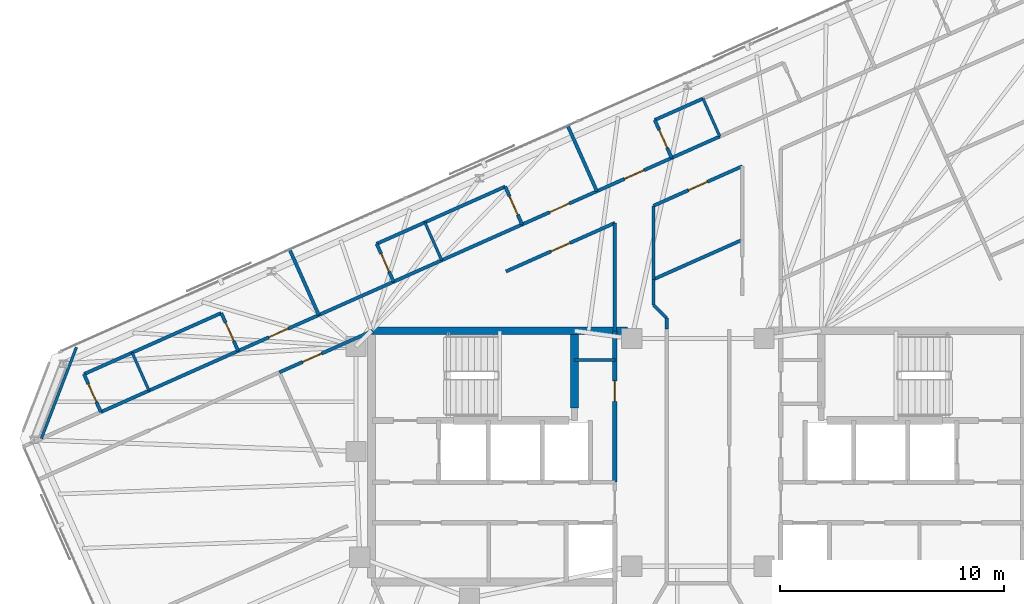
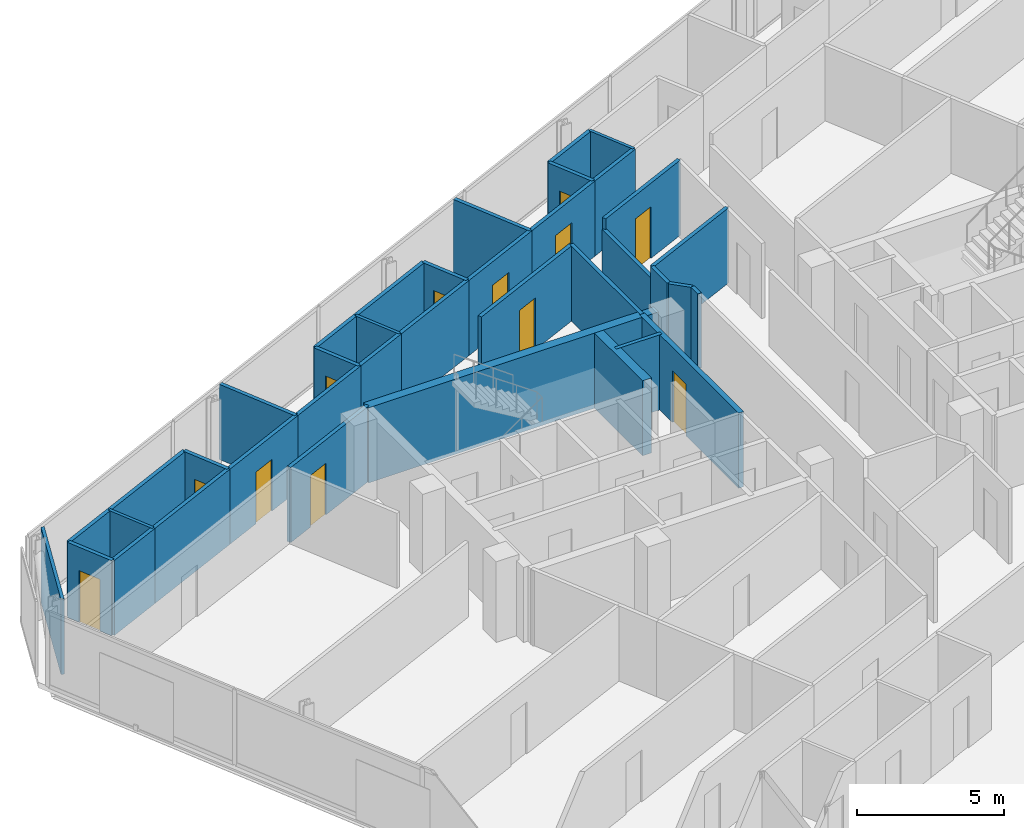
# One storey, part 16 of 19: 38 walls, 12 doors, 12 openings.
"""IFC4 building model written with IfcOpenShell, lengths in metres."""

import ifcopenshell
import ifcopenshell.guid

model = None  # the IFC model being written
_history = None  # IfcOwnerHistory: only IFC2X3 demands one
_inside = {}  # id of a spatial element -> (the spatial element, [elements in it])
_under = {}  # id of a project, library or spatial element -> (it, [spatial elements below it])
_declared = {}  # id of a project -> (the project, [libraries it declares])
_typed = {}  # id of a type object -> (the type object, [elements of that type])
_made_of = {}  # id of a material, layer set ... -> (it, [elements and type objects made of it])


def new_model(schema):
    """Start an empty IFC model of exactly this schema.

    Asked for "IFC4X3", IfcOpenShell would pick the latest addendum, in which some entities
    have other attributes; the version numbers below select the first issue.
    IFC2X3 requires an IfcOwnerHistory on every rooted entity: one is made here for all.
    """
    global model, _history
    if schema == "IFC4X3":
        model = ifcopenshell.file(schema_version=(4, 3, 0, 0))
    else:
        model = ifcopenshell.file(schema=schema)
    _inside.clear()
    _under.clear()
    _declared.clear()
    _typed.clear()
    _made_of.clear()
    _history = None
    if model.schema == "IFC2X3":
        org = make("IfcOrganization", Name="unknown")
        user = make(
            "IfcPersonAndOrganization",
            ThePerson=make("IfcPerson", FamilyName="unknown"),
            TheOrganization=org,
        )
        app = make(
            "IfcApplication",
            ApplicationDeveloper=org,
            Version="unknown",
            ApplicationFullName="unknown",
            ApplicationIdentifier="unknown",
        )
        _history = make(
            "IfcOwnerHistory",
            OwningUser=user,
            OwningApplication=app,
            ChangeAction="ADDED",
            CreationDate=0,
        )
    return model


def make(cls, **values):
    """One entity of the class cls with the attributes given. An attribute that is None is left unset."""
    return model.create_entity(
        cls, **{name: value for name, value in values.items() if value is not None}
    )


def rooted(cls, **values):
    """An entity with a GlobalId (a new one), such as an element, a storey or a relation."""
    return make(cls, GlobalId=ifcopenshell.guid.new(), OwnerHistory=_history, **values)


def si_unit(unit_type, name, prefix=None):
    """IfcSIUnit, for example si_unit("LENGTHUNIT", "METRE", prefix="MILLI")."""
    return make("IfcSIUnit", UnitType=unit_type, Prefix=prefix, Name=name)


def assignment(units):
    """IfcUnitAssignment: the units of a project."""
    return None if units is None else make("IfcUnitAssignment", Units=units)


def point(xyz):
    """IfcCartesianPoint."""
    return None if xyz is None else make("IfcCartesianPoint", Coordinates=xyz)


def direction(xyz):
    """IfcDirection."""
    return None if xyz is None else make("IfcDirection", DirectionRatios=xyz)


def frame(location, z_axis=None, x_axis=None):
    """IfcAxis2Placement3D, a coordinate frame: its origin and axes. An axis left out is left unset."""
    return make(
        "IfcAxis2Placement3D",
        Location=point(location),
        Axis=direction(z_axis),
        RefDirection=direction(x_axis),
    )


def frame_2d(location, x_axis=None):
    """IfcAxis2Placement2D, a coordinate frame in the plane: its origin and x axis."""
    return make(
        "IfcAxis2Placement2D", Location=point(location), RefDirection=direction(x_axis)
    )


def origin():
    """The frame at (0, 0, 0) with its axes left unset."""
    return frame((0.0, 0.0, 0.0))


def place(relative_to, where):
    """IfcLocalPlacement: puts the frame where relative to a parent placement (None: the world)."""
    return make(
        "IfcLocalPlacement", PlacementRelTo=relative_to, RelativePlacement=where
    )


def context(
    kind, dimensions, precision=None, world=None, true_north=None, identifier=None
):
    """IfcGeometricRepresentationContext, for example the 3D "Model" context."""
    return make(
        "IfcGeometricRepresentationContext",
        ContextIdentifier=identifier,
        ContextType=kind,
        CoordinateSpaceDimension=dimensions,
        Precision=precision,
        WorldCoordinateSystem=world,
        TrueNorth=true_north,
    )


def subcontext(parent, identifier, kind, view, scale=None):
    """IfcGeometricRepresentationSubContext, for example "Body" below "Model"."""
    return make(
        "IfcGeometricRepresentationSubContext",
        ContextIdentifier=identifier,
        ContextType=kind,
        ParentContext=parent,
        TargetScale=scale,
        TargetView=view,
    )


def project(units=None, contexts=None):
    """IfcProject with its units and contexts."""
    return rooted(
        "IfcProject",
        Name="project",
        RepresentationContexts=contexts,
        UnitsInContext=assignment(units),
    )


def spatial(cls, under=None, at=None, **own):
    """A site, building, storey or space (cls), placed at a placement, below another one or the project."""
    s = rooted(cls, ObjectPlacement=at, **own)
    if under is not None:
        _under.setdefault(under.id(), (under, []))[1].append(s)
    return s


def profile(cls, at=None, kind="AREA", **sizes):
    """A parametric profile (cls). Its sizes go by their IFC names, for example OverallWidth=200.0."""
    return make(cls, ProfileType=kind, Position=at, **sizes)


def rectangle(**sizes):
    """IfcRectangleProfileDef."""
    return profile("IfcRectangleProfileDef", **sizes)


def extrude(swept, where, along, depth):
    """IfcExtrudedAreaSolid: the profile swept, set in the frame where, extruded along a direction by depth."""
    return make(
        "IfcExtrudedAreaSolid",
        SweptArea=swept,
        Position=where,
        ExtrudedDirection=direction(along),
        Depth=depth,
    )


def shape(context_of_items, identifier, shape_type, items):
    """IfcShapeRepresentation: the items that make up one representation, for example the "Body"."""
    return make(
        "IfcShapeRepresentation",
        ContextOfItems=context_of_items,
        RepresentationIdentifier=identifier,
        RepresentationType=shape_type,
        Items=items,
    )


def material(Name=None, Category=None):
    """IfcMaterial."""
    return make("IfcMaterial", Name=Name, Category=Category)


def layer(
    of_material, thickness, ventilated=None, Name=None, Category=None, Priority=None
):
    """IfcMaterialLayer: one layer of a wall or slab, of a material (None: an air gap)."""
    return make(
        "IfcMaterialLayer",
        Material=of_material,
        LayerThickness=thickness,
        IsVentilated=ventilated,
        Name=Name,
        Category=Category,
        Priority=Priority,
    )


def layer_set(layers, Name=None):
    """IfcMaterialLayerSet."""
    return make("IfcMaterialLayerSet", MaterialLayers=layers, LayerSetName=Name)


def made_of(thing, what):
    """Note that an element or type object is made of a material, layer set ...; save() writes the relation."""
    if what is not None:
        _made_of.setdefault(what.id(), (what, []))[1].append(thing)
    return thing


def type_object(cls, material=None, **own):
    """A type object (cls), such as IfcWallType, which elements share."""
    return made_of(rooted(cls, **own), material)


def element(
    cls,
    number,
    at=None,
    inside=None,
    cuts=None,
    type_object=None,
    material=None,
    context=None,
    identifier="Body",
    shape_type=None,
    held_by="IfcProductDefinitionShape",
    body=None,
    shapes=None,
    **own,
):
    """One element of the class cls, such as IfcWall. Its Tag is "e" and its number.

    at: its placement. inside: the storey or other place that contains it. cuts: it is an
    opening in that element (IfcRelVoidsElement). A single representation is given by context,
    identifier, shape_type and body (its items); several are given by shapes. held_by: the class
    of the entity that holds the representations. save() writes the other relations.
    """
    e = rooted(cls, Tag="e%d" % number, ObjectPlacement=at, **own)
    if body is not None:
        shapes = [shape(context, identifier, shape_type, body)]
    if shapes is not None:
        e.Representation = make(held_by, Representations=shapes)
    if inside is not None:
        _inside.setdefault(inside.id(), (inside, []))[1].append(e)
    if cuts is not None:
        rooted(
            "IfcRelVoidsElement", RelatingBuildingElement=cuts, RelatedOpeningElement=e
        )
    if type_object is not None:
        _typed.setdefault(type_object.id(), (type_object, []))[1].append(e)
    return made_of(e, material)


def fill(opening, filler):
    """IfcRelFillsElement: the door or window that sits in an opening."""
    return rooted(
        "IfcRelFillsElement",
        RelatingOpeningElement=opening,
        RelatedBuildingElement=filler,
    )


def aggregate(whole, parts):
    """IfcRelAggregates: a whole, such as a stair, and the parts it consists of."""
    return rooted("IfcRelAggregates", RelatingObject=whole, RelatedObjects=parts)


def save(model, path):
    """Write the relations noted so far, then the file.

    IfcRelAggregates (storeys below a building ...), IfcRelContainedInSpatialStructure (elements
    in a storey), IfcRelDefinesByType, IfcRelAssociatesMaterial and IfcRelDeclares: one each for
    every whole, place, type object, material and project.
    """
    for whole, parts in _under.values():
        aggregate(whole, parts)
    for where, things in _inside.values():
        rooted(
            "IfcRelContainedInSpatialStructure",
            RelatedElements=things,
            RelatingStructure=where,
        )
    for kind, things in _typed.values():
        rooted("IfcRelDefinesByType", RelatedObjects=things, RelatingType=kind)
    for what, things in _made_of.values():
        rooted("IfcRelAssociatesMaterial", RelatedObjects=things, RelatingMaterial=what)
    for by, libraries in _declared.values():
        rooted("IfcRelDeclares", RelatingContext=by, RelatedDefinitions=libraries)
    model.write(path)


model = new_model("IFC4")

# Units and contexts
model_context = context("Model", 3, precision=1e-05, world=origin(), true_north=direction((0.0, 1.0)))
body_context = subcontext(model_context, "Body", "Model", "MODEL_VIEW")
ifc_project = project(units=[si_unit("LENGTHUNIT", "METRE"), si_unit("AREAUNIT", "SQUARE_METRE"), si_unit("VOLUMEUNIT", "CUBIC_METRE"), si_unit("PLANEANGLEUNIT", "RADIAN"), si_unit("MASSUNIT", "GRAM", prefix="KILO")], contexts=[model_context])

# Site, building, storey
site_placement = place(None, origin())
site = spatial("IfcSite", under=ifc_project, at=site_placement, CompositionType="ELEMENT")
building_placement = place(site_placement, origin())
building = spatial("IfcBuilding", under=site, at=building_placement, Name="Menara Jurai Vektor", CompositionType="ELEMENT")
storey_placement = place(building_placement, frame((0.0, 0.0, 291.949951171875)))
storey = spatial("IfcBuildingStorey", under=building, at=storey_placement, Name="L78", CompositionType="ELEMENT", Elevation=291.949951171875)

# Wall
ifc_material_1 = material(Name="Gypsum Fireboard Partition", Category="gypsum")
ifc_layer_1 = layer(ifc_material_1, 0.14990234375)
ifc_layer_set_1 = layer_set([ifc_layer_1], Name="Gypsum Fireboard Partition")
wall_type_1 = type_object("IfcWallType", Name="INT-WALL-CORR-150", PredefinedType="PARTITIONING", material=ifc_layer_set_1)
wall_1_placement = place(storey_placement, frame((-5.5, 4.300048828125, 0.0), z_axis=(0.0, 0.0, 1.0), x_axis=(1.0, 0.0, 0.0)))
element("IfcWall", 1, at=wall_1_placement, inside=storey, type_object=wall_type_1, Name="Interior Wall IW-150 L78", PredefinedType="PARTITIONING", context=body_context, shape_type="SweptSolid", body=[
    extrude(rectangle(XDim=1.800048828125, YDim=0.14990234375, at=frame_2d((0.89990234375, 0.0))), origin(), (0.0, 0.0, 1.0), 3.125),
])

# Wall, opening, door
wall_2_placement = place(storey_placement, frame((-20.49853515625, 4.702392578125, 0.0), z_axis=(0.0, 0.0, 1.0), x_axis=(0.913553019012, 0.406719659537, 0.0)))
wall_2 = element("IfcWall", 2, at=wall_2_placement, inside=storey, type_object=wall_type_1, Name="Interior Wall IW-150 L78", PredefinedType="PARTITIONING", context=body_context, shape_type="SweptSolid", body=[
    extrude(rectangle(XDim=3.93603515625, YDim=0.14990234375, at=frame_2d((1.968017578125, 0.0))), origin(), (0.0, 0.0, 1.0), 3.125),
])
opening_1_placement = place(wall_2_placement, frame((1.492919921875, 0.0, 0.0)))
opening_1 = element("IfcOpeningElement", 3, at=opening_1_placement, cuts=wall_2, Name="Opening D78-09", PredefinedType="OPENING", context=body_context, shape_type="SweptSolid", body=[
    extrude(rectangle(XDim=0.949951171875, YDim=2.14990234375, at=frame_2d((0.47509765625, 1.074951171875))), frame((0.0, 0.0849609375, 0.0), z_axis=(0.0, -1.0, 0.0), x_axis=(1.0, 0.0, 0.0)), (0.0, 0.0, 1.0), 0.169921875),
])
ifc_material_2 = material(Name="Solid Core Timber Fire Door", Category="wood")
door_type_1 = type_object("IfcDoorType", Name="DR-ENTRY-950", OperationType="NOTDEFINED", PredefinedType="DOOR", material=ifc_material_2)
door_1_placement = place(opening_1_placement, origin())
door_1 = element("IfcDoor", 4, at=door_1_placement, inside=storey, type_object=door_type_1, Name="Interior Door D78-09", OperationType="SINGLE_SWING_RIGHT", OverallHeight=2.14990234375, OverallWidth=0.949951171875, PredefinedType="DOOR", context=body_context, shape_type="SweptSolid", body=[
    extrude(rectangle(XDim=0.949951171875, YDim=2.14990234375, at=frame_2d((0.47509765625, 1.074951171875))), frame((0.0, 0.02490234375, 0.0), z_axis=(0.0, -1.0, 0.0), x_axis=(1.0, 0.0, 0.0)), (0.0, 0.0, 1.0), 0.050048828125),
])
fill(opening_1, door_1)

# Walls
wall_3_placement = place(storey_placement, frame((-26.619140625, 1.977294921875, 0.0), z_axis=(0.0, 0.0, 1.0), x_axis=(0.913541436194, 0.406745675276, 0.0)))
element("IfcWall", 5, at=wall_3_placement, inside=storey, type_object=wall_type_1, Name="Interior Wall IW-150 L78", PredefinedType="PARTITIONING", context=body_context, shape_type="SweptSolid", body=[
    extrude(rectangle(XDim=2.349853515625, YDim=0.14990234375, at=frame_2d((1.1748046875, 0.0))), origin(), (0.0, 0.0, 1.0), 3.125),
])
wall_4_placement = place(storey_placement, frame((-24.472412109375, 2.93310546875, 0.0), z_axis=(0.0, 0.0, 1.0), x_axis=(0.913545193015, 0.406737237438, 0.0)))
element("IfcWall", 6, at=wall_4_placement, inside=storey, type_object=wall_type_1, Name="Interior Wall IW-150 L78", PredefinedType="PARTITIONING", context=body_context, shape_type="SweptSolid", body=[
    extrude(rectangle(XDim=4.349853515625, YDim=0.14990234375, at=frame_2d((2.1748046875, 0.0))), origin(), (0.0, 0.0, 1.0), 3.125),
])
wall_5_placement = place(storey_placement, frame((-16.90283203125, 6.30322265625, 0.0), z_axis=(0.0, 0.0, 1.0), x_axis=(0.913543802, 0.40674036169, 0.0)))
element("IfcWall", 7, at=wall_5_placement, inside=storey, type_object=wall_type_1, Name="Interior Wall IW-150 L78", PredefinedType="PARTITIONING", context=body_context, shape_type="SweptSolid", body=[
    extrude(rectangle(XDim=3.650146484375, YDim=0.14990234375, at=frame_2d((1.8251953125, 0.0))), origin(), (0.0, 0.0, 1.0), 3.125),
])

# Wall, opening, door
wall_6_placement = place(storey_placement, frame((-7.838623046875, 10.3388671875, 0.0), z_axis=(0.0, 0.0, 1.0), x_axis=(0.913543802, 0.40674036169, 0.0)))
wall_6 = element("IfcWall", 8, at=wall_6_placement, inside=storey, type_object=wall_type_1, Name="Interior Wall IW-150 L78", PredefinedType="PARTITIONING", context=body_context, shape_type="SweptSolid", body=[
    extrude(rectangle(XDim=3.650146484375, YDim=0.14990234375, at=frame_2d((1.8251953125, 0.0))), origin(), (0.0, 0.0, 1.0), 3.125),
])
opening_2_placement = place(wall_6_placement, frame((1.35009765625, 0.0, 0.0)))
opening_2 = element("IfcOpeningElement", 9, at=opening_2_placement, cuts=wall_6, Name="Opening D78-12", PredefinedType="OPENING", context=body_context, shape_type="SweptSolid", body=[
    extrude(rectangle(XDim=0.949951171875, YDim=2.14990234375, at=frame_2d((0.47509765625, 1.074951171875))), frame((0.0, 0.0849609375, 0.0), z_axis=(0.0, -1.0, 0.0), x_axis=(1.0, 0.0, 0.0)), (0.0, 0.0, 1.0), 0.169921875),
])
door_2_placement = place(opening_2_placement, origin())
door_2 = element("IfcDoor", 10, at=door_2_placement, inside=storey, type_object=door_type_1, Name="Interior Door D78-12", OperationType="SINGLE_SWING_LEFT", OverallHeight=2.14990234375, OverallWidth=0.949951171875, PredefinedType="DOOR", context=body_context, shape_type="SweptSolid", body=[
    extrude(rectangle(XDim=0.949951171875, YDim=2.14990234375, at=frame_2d((0.47509765625, 1.074951171875))), frame((0.0, 0.02490234375, 0.0), z_axis=(0.0, -1.0, 0.0), x_axis=(1.0, 0.0, 0.0)), (0.0, 0.0, 1.0), 0.050048828125),
])
fill(opening_2, door_2)

# Walls
wall_7_placement = place(storey_placement, frame((-13.568359375, 7.787841796875, 0.0), z_axis=(0.0, 0.0, 1.0), x_axis=(0.913558622212, 0.406707073682, 0.0)))
element("IfcWall", 11, at=wall_7_placement, inside=storey, type_object=wall_type_1, Name="Interior Wall IW-150 L78", PredefinedType="PARTITIONING", context=body_context, shape_type="SweptSolid", body=[
    extrude(rectangle(XDim=2.35009765625, YDim=0.14990234375, at=frame_2d((1.175048828125, 0.0))), origin(), (0.0, 0.0, 1.0), 3.125),
])
wall_8_placement = place(storey_placement, frame((-11.42138671875, 8.74365234375, 0.0), z_axis=(0.0, 0.0, 1.0), x_axis=(0.913539234326, 0.406750620585, 0.0)))
element("IfcWall", 12, at=wall_8_placement, inside=storey, type_object=wall_type_1, Name="Interior Wall IW-150 L78", PredefinedType="PARTITIONING", context=body_context, shape_type="SweptSolid", body=[
    extrude(rectangle(XDim=3.921875, YDim=0.14990234375, at=frame_2d((1.9609375, 0.0))), origin(), (0.0, 0.0, 1.0), 3.125),
])

# Wall, opening, door
wall_9_placement = place(storey_placement, frame((-4.504150390625, 11.823486328125, 0.0), z_axis=(0.0, 0.0, 1.0), x_axis=(0.913543802, 0.40674036169, 0.0)))
wall_9 = element("IfcWall", 13, at=wall_9_placement, inside=storey, type_object=wall_type_1, Name="Interior Wall IW-150 L78", PredefinedType="PARTITIONING", context=body_context, shape_type="SweptSolid", body=[
    extrude(rectangle(XDim=3.650146484375, YDim=0.14990234375, at=frame_2d((1.8251953125, 0.0))), origin(), (0.0, 0.0, 1.0), 3.125),
])
opening_3_placement = place(wall_9_placement, frame((1.35009765625, 0.0, 0.0)))
opening_3 = element("IfcOpeningElement", 14, at=opening_3_placement, cuts=wall_9, Name="Opening D78-15", PredefinedType="OPENING", context=body_context, shape_type="SweptSolid", body=[
    extrude(rectangle(XDim=0.949951171875, YDim=2.14990234375, at=frame_2d((0.47509765625, 1.074951171875))), frame((0.0, 0.0849609375, 0.0), z_axis=(0.0, -1.0, 0.0), x_axis=(1.0, 0.0, 0.0)), (0.0, 0.0, 1.0), 0.169921875),
])
door_3_placement = place(opening_3_placement, origin())
door_3 = element("IfcDoor", 15, at=door_3_placement, inside=storey, type_object=door_type_1, Name="Interior Door D78-15", OperationType="SINGLE_SWING_RIGHT", OverallHeight=2.14990234375, OverallWidth=0.949951171875, PredefinedType="DOOR", context=body_context, shape_type="SweptSolid", body=[
    extrude(rectangle(XDim=0.949951171875, YDim=2.14990234375, at=frame_2d((0.47509765625, 1.074951171875))), frame((0.0, 0.02490234375, 0.0), z_axis=(0.0, -1.0, 0.0), x_axis=(1.0, 0.0, 0.0)), (0.0, 0.0, 1.0), 0.050048828125),
])
fill(opening_3, door_3)

# Wall
wall_10_placement = place(storey_placement, frame((-1.169677734375, 13.30810546875, 0.0), z_axis=(0.0, 0.0, 1.0), x_axis=(0.913541436194, 0.406745675276, 0.0)))
element("IfcWall", 16, at=wall_10_placement, inside=storey, type_object=wall_type_1, Name="Interior Wall IW-150 L78", PredefinedType="PARTITIONING", context=body_context, shape_type="SweptSolid", body=[
    extrude(rectangle(XDim=2.349853515625, YDim=0.14990234375, at=frame_2d((1.1748046875, 0.0))), origin(), (0.0, 0.0, 1.0), 3.125),
])

# Wall, opening, door
wall_11_placement = place(storey_placement, frame((-18.6611328125, 3.7470703125, 0.0), z_axis=(0.0, 0.0, 1.0), x_axis=(0.913535055583, 0.40676000568, 0.0)))
wall_11 = element("IfcWall", 17, at=wall_11_placement, inside=storey, type_object=wall_type_1, Name="Interior Wall IW-150 L78", PredefinedType="PARTITIONING", context=body_context, shape_type="SweptSolid", body=[
    extrude(rectangle(XDim=4.554931640625, YDim=0.14990234375, at=frame_2d((2.27734375, 0.0))), origin(), (0.0, 0.0, 1.0), 3.125),
])
opening_4_placement = place(wall_11_placement, frame((1.13427734375, 0.0, 0.0)))
opening_4 = element("IfcOpeningElement", 18, at=opening_4_placement, cuts=wall_11, Name="Opening D78-45", PredefinedType="OPENING", context=body_context, shape_type="SweptSolid", body=[
    extrude(rectangle(XDim=0.919921875, YDim=2.14990234375, at=frame_2d((0.4599609375, 1.074951171875))), frame((0.0, 0.0849609375, 0.0), z_axis=(0.0, -1.0, 0.0), x_axis=(1.0, 0.0, 0.0)), (0.0, 0.0, 1.0), 0.169921875),
])
door_4_placement = place(opening_4_placement, origin())
door_4 = element("IfcDoor", 19, at=door_4_placement, inside=storey, type_object=door_type_1, Name="Interior Door D78-45", OperationType="SINGLE_SWING_RIGHT", OverallHeight=2.14990234375, OverallWidth=0.919921875, PredefinedType="DOOR", context=body_context, shape_type="SweptSolid", body=[
    extrude(rectangle(XDim=0.919921875, YDim=2.14990234375, at=frame_2d((0.4599609375, 1.074951171875))), frame((0.0, 0.02490234375, 0.0), z_axis=(0.0, -1.0, 0.0), x_axis=(1.0, 0.0, 0.0)), (0.0, 0.0, 1.0), 0.050048828125),
])
fill(opening_4, door_4)

# Walls
wall_12_placement = place(storey_placement, frame((-1.979736328125, 6.74853515625, 0.0), z_axis=(0.0, 0.0, 1.0), x_axis=(0.706520457458, -0.707692619146, 0.0)))
element("IfcWall", 20, at=wall_12_placement, inside=storey, type_object=wall_type_1, Name="Interior Wall IW-150 L78", PredefinedType="PARTITIONING", context=body_context, shape_type="SweptSolid", body=[
    extrude(rectangle(XDim=0.8330078125, YDim=0.14990234375, at=frame_2d((0.41650390625, 0.0))), origin(), (0.0, 0.0, 1.0), 3.125),
])
wall_13_placement = place(storey_placement, frame((-1.979736328125, 6.74853515625, 0.0), z_axis=(0.0, 0.0, 1.0), x_axis=(0.0, 1.0, 0.0)))
element("IfcWall", 21, at=wall_13_placement, inside=storey, type_object=wall_type_1, Name="Interior Wall IW-150 L78", PredefinedType="PARTITIONING", context=body_context, shape_type="SweptSolid", body=[
    extrude(rectangle(XDim=1.14599609375, YDim=0.14990234375, at=frame_2d((0.572998046875, 0.0))), origin(), (0.0, 0.0, 1.0), 3.125),
])
wall_14_placement = place(storey_placement, frame((-1.39111328125, 5.6796875, 0.0), z_axis=(0.0, 0.0, 1.0), x_axis=(0.0, 1.0, 0.0)))
element("IfcWall", 22, at=wall_14_placement, inside=storey, type_object=wall_type_1, Name="Interior Wall IW-150 L78", PredefinedType="PARTITIONING", context=body_context, shape_type="SweptSolid", body=[
    extrude(rectangle(XDim=0.479248046875, YDim=0.14990234375, at=frame_2d((0.23974609375, 0.0))), origin(), (0.0, 0.0, 1.0), 3.125),
])

# Wall, opening, door
wall_15_placement = place(storey_placement, frame((-1.979736328125, 11.174072265625, 0.0), z_axis=(0.0, 0.0, 1.0), x_axis=(0.913546598225, 0.406734081276, 0.0)))
wall_15 = element("IfcWall", 23, at=wall_15_placement, inside=storey, type_object=wall_type_1, Name="Interior Wall IW-150 L78", PredefinedType="PARTITIONING", context=body_context, shape_type="SweptSolid", body=[
    extrude(rectangle(XDim=4.3349609375, YDim=0.14990234375, at=frame_2d((2.16748046875, 0.0))), origin(), (0.0, 0.0, 1.0), 3.125),
])
opening_5_placement = place(wall_15_placement, frame((1.70751953125, 0.0, 0.0)))
opening_5 = element("IfcOpeningElement", 24, at=opening_5_placement, cuts=wall_15, Name="Opening D78-47", PredefinedType="OPENING", context=body_context, shape_type="SweptSolid", body=[
    extrude(rectangle(XDim=0.919921875, YDim=2.14990234375, at=frame_2d((0.4599609375, 1.074951171875))), frame((0.0, 0.0849609375, 0.0), z_axis=(0.0, -1.0, 0.0), x_axis=(1.0, 0.0, 0.0)), (0.0, 0.0, 1.0), 0.169921875),
])
door_5_placement = place(opening_5_placement, origin())
door_5 = element("IfcDoor", 25, at=door_5_placement, inside=storey, type_object=door_type_1, Name="Interior Door D78-47", OperationType="SINGLE_SWING_RIGHT", OverallHeight=2.14990234375, OverallWidth=0.919921875, PredefinedType="DOOR", context=body_context, shape_type="SweptSolid", body=[
    extrude(rectangle(XDim=0.919921875, YDim=2.14990234375, at=frame_2d((0.4599609375, 1.074951171875))), frame((0.0, 0.02490234375, 0.0), z_axis=(0.0, -1.0, 0.0), x_axis=(1.0, 0.0, 0.0)), (0.0, 0.0, 1.0), 0.050048828125),
])
fill(opening_5, door_5)

wall_16_placement = place(storey_placement, frame((-8.56005859375, 8.244384765625, 0.0), z_axis=(0.0, 0.0, 1.0), x_axis=(0.91354831274, 0.406730230362, 0.0)))
wall_16 = element("IfcWall", 26, at=wall_16_placement, inside=storey, type_object=wall_type_1, Name="Interior Wall IW-150 L78", PredefinedType="PARTITIONING", context=body_context, shape_type="SweptSolid", body=[
    extrude(rectangle(XDim=5.320068359375, YDim=0.14990234375, at=frame_2d((2.66015625, 0.0))), origin(), (0.0, 0.0, 1.0), 3.125),
])
opening_6_placement = place(wall_16_placement, frame((2.199951171875, 0.0, 0.0)))
opening_6 = element("IfcOpeningElement", 27, at=opening_6_placement, cuts=wall_16, Name="Opening D78-48", PredefinedType="OPENING", context=body_context, shape_type="SweptSolid", body=[
    extrude(rectangle(XDim=0.919921875, YDim=2.14990234375, at=frame_2d((0.4599609375, 1.074951171875))), frame((0.0, 0.0849609375, 0.0), z_axis=(0.0, -1.0, 0.0), x_axis=(1.0, 0.0, 0.0)), (0.0, 0.0, 1.0), 0.169921875),
])
door_6_placement = place(opening_6_placement, origin())
door_6 = element("IfcDoor", 28, at=door_6_placement, inside=storey, type_object=door_type_1, Name="Interior Door D78-48", OperationType="SINGLE_SWING_LEFT", OverallHeight=2.14990234375, OverallWidth=0.919921875, PredefinedType="DOOR", context=body_context, shape_type="SweptSolid", body=[
    extrude(rectangle(XDim=0.919921875, YDim=2.14990234375, at=frame_2d((0.4599609375, 1.074951171875))), frame((0.0, 0.02490234375, 0.0), z_axis=(0.0, -1.0, 0.0), x_axis=(1.0, 0.0, 0.0)), (0.0, 0.0, 1.0), 0.050048828125),
])
fill(opening_6, door_6)

# Wall
wall_17_placement = place(storey_placement, frame((-3.7001953125, 5.599609375, 0.0), z_axis=(0.0, 0.0, 1.0), x_axis=(5.077173e-05, 0.999999998711, 0.0)))
element("IfcWall", 29, at=wall_17_placement, inside=storey, type_object=wall_type_1, Name="Interior Wall IW-150 L78", PredefinedType="PARTITIONING", context=body_context, shape_type="SweptSolid", body=[
    extrude(rectangle(XDim=4.80859375, YDim=0.14990234375, at=frame_2d((2.404296875, 0.0))), origin(), (0.0, 0.0, 1.0), 3.125),
])

# Wall, opening, door
wall_18_placement = place(storey_placement, frame((-26.619140625, 1.977294921875, 0.0), z_axis=(0.0, 0.0, 1.0), x_axis=(-0.406750635596, 0.913539227643, 0.0)))
wall_18 = element("IfcWall", 30, at=wall_18_placement, inside=storey, type_object=wall_type_1, Name="Interior Wall IW-150 L78", PredefinedType="PARTITIONING", context=body_context, shape_type="SweptSolid", body=[
    extrude(rectangle(XDim=1.849853515625, YDim=0.14990234375, at=frame_2d((0.9248046875, 0.0))), origin(), (0.0, 0.0, 1.0), 3.125),
])
opening_7_placement = place(wall_18_placement, frame((0.485107421875, 0.0, 0.0)))
opening_7 = element("IfcOpeningElement", 31, at=opening_7_placement, cuts=wall_18, Name="Opening D78-10", PredefinedType="OPENING", context=body_context, shape_type="SweptSolid", body=[
    extrude(rectangle(XDim=0.8798828125, YDim=2.14990234375, at=frame_2d((0.43994140625, 1.074951171875))), frame((0.0, 0.0849609375, 0.0), z_axis=(0.0, -1.0, 0.0), x_axis=(1.0, 0.0, 0.0)), (0.0, 0.0, 1.0), 0.169921875),
])
ifc_material_3 = material(Name="Moisture-Resistant Timber Door", Category="wood")
door_type_2 = type_object("IfcDoorType", Name="DR-BATH-880", OperationType="NOTDEFINED", PredefinedType="DOOR", material=ifc_material_3)
door_7_placement = place(opening_7_placement, origin())
door_7 = element("IfcDoor", 32, at=door_7_placement, inside=storey, type_object=door_type_2, Name="Interior Door D78-10", OperationType="SINGLE_SWING_LEFT", OverallHeight=2.14990234375, OverallWidth=0.8798828125, PredefinedType="DOOR", context=body_context, shape_type="SweptSolid", body=[
    extrude(rectangle(XDim=0.8798828125, YDim=2.14990234375, at=frame_2d((0.43994140625, 1.074951171875))), frame((0.0, 0.02490234375, 0.0), z_axis=(0.0, -1.0, 0.0), x_axis=(1.0, 0.0, 0.0)), (0.0, 0.0, 1.0), 0.050048828125),
])
fill(opening_7, door_7)

# Walls
wall_19_placement = place(storey_placement, frame((-27.37158203125, 3.667236328125, 0.0), z_axis=(0.0, 0.0, 1.0), x_axis=(0.913541436194, 0.406745675276, 0.0)))
element("IfcWall", 33, at=wall_19_placement, inside=storey, type_object=wall_type_1, Name="Interior Wall IW-150 L78", PredefinedType="PARTITIONING", context=body_context, shape_type="SweptSolid", body=[
    extrude(rectangle(XDim=2.349853515625, YDim=0.14990234375, at=frame_2d((1.1748046875, 0.0))), origin(), (0.0, 0.0, 1.0), 3.125),
])
wall_20_placement = place(storey_placement, frame((-25.224853515625, 4.623046875, 0.0), z_axis=(0.0, 0.0, 1.0), x_axis=(0.913545193015, 0.406737237438, 0.0)))
element("IfcWall", 34, at=wall_20_placement, inside=storey, type_object=wall_type_1, Name="Interior Wall IW-150 L78", PredefinedType="PARTITIONING", context=body_context, shape_type="SweptSolid", body=[
    extrude(rectangle(XDim=4.349853515625, YDim=0.14990234375, at=frame_2d((2.1748046875, 0.0))), origin(), (0.0, 0.0, 1.0), 3.125),
])

# Wall, opening, door
wall_21_placement = place(storey_placement, frame((-20.49853515625, 4.702392578125, 0.0), z_axis=(0.0, 0.0, 1.0), x_axis=(-0.406750635596, 0.913539227643, 0.0)))
wall_21 = element("IfcWall", 35, at=wall_21_placement, inside=storey, type_object=wall_type_1, Name="Interior Wall IW-150 L78", PredefinedType="PARTITIONING", context=body_context, shape_type="SweptSolid", body=[
    extrude(rectangle(XDim=1.849853515625, YDim=0.14990234375, at=frame_2d((0.9248046875, 0.0))), origin(), (0.0, 0.0, 1.0), 3.125),
])
opening_8_placement = place(wall_21_placement, frame((0.47509765625, 0.0, 0.0)))
opening_8 = element("IfcOpeningElement", 36, at=opening_8_placement, cuts=wall_21, Name="Opening D78-11", PredefinedType="OPENING", context=body_context, shape_type="SweptSolid", body=[
    extrude(rectangle(XDim=0.89990234375, YDim=2.14990234375, at=frame_2d((0.449951171875, 1.074951171875))), frame((0.0, 0.0849609375, 0.0), z_axis=(0.0, -1.0, 0.0), x_axis=(1.0, 0.0, 0.0)), (0.0, 0.0, 1.0), 0.169921875),
])
ifc_material_4 = material(Name="Acoustic Timber Interior Door", Category="wood")
door_type_3 = type_object("IfcDoorType", Name="DR-ROOM-900", OperationType="NOTDEFINED", PredefinedType="DOOR", material=ifc_material_4)
door_8_placement = place(opening_8_placement, origin())
door_8 = element("IfcDoor", 37, at=door_8_placement, inside=storey, type_object=door_type_3, Name="Interior Door D78-11", OperationType="SINGLE_SWING_RIGHT", OverallHeight=2.14990234375, OverallWidth=0.89990234375, PredefinedType="DOOR", context=body_context, shape_type="SweptSolid", body=[
    extrude(rectangle(XDim=0.89990234375, YDim=2.14990234375, at=frame_2d((0.449951171875, 1.074951171875))), frame((0.0, 0.02490234375, 0.0), z_axis=(0.0, -1.0, 0.0), x_axis=(1.0, 0.0, 0.0)), (0.0, 0.0, 1.0), 0.050048828125),
])
fill(opening_8, door_8)

# Wall
wall_22_placement = place(storey_placement, frame((-16.90283203125, 6.30322265625, 0.0), z_axis=(0.0, 0.0, 1.0), x_axis=(-0.406733350739, 0.913546923478, 0.0)))
element("IfcWall", 38, at=wall_22_placement, inside=storey, type_object=wall_type_1, Name="Interior Wall IW-150 L78", PredefinedType="PARTITIONING", context=body_context, shape_type="SweptSolid", body=[
    extrude(rectangle(XDim=3.197998046875, YDim=0.14990234375, at=frame_2d((1.59912109375, 0.0))), origin(), (0.0, 0.0, 1.0), 3.125),
])

# Wall, opening, door
wall_23_placement = place(storey_placement, frame((-13.568359375, 7.787841796875, 0.0), z_axis=(0.0, 0.0, 1.0), x_axis=(-0.406750635596, 0.913539227643, 0.0)))
wall_23 = element("IfcWall", 39, at=wall_23_placement, inside=storey, type_object=wall_type_1, Name="Interior Wall IW-150 L78", PredefinedType="PARTITIONING", context=body_context, shape_type="SweptSolid", body=[
    extrude(rectangle(XDim=1.849853515625, YDim=0.14990234375, at=frame_2d((0.9248046875, 0.0))), origin(), (0.0, 0.0, 1.0), 3.125),
])
opening_9_placement = place(wall_23_placement, frame((0.485107421875, 0.0, 0.0)))
opening_9 = element("IfcOpeningElement", 40, at=opening_9_placement, cuts=wall_23, Name="Opening D78-13", PredefinedType="OPENING", context=body_context, shape_type="SweptSolid", body=[
    extrude(rectangle(XDim=0.8798828125, YDim=2.14990234375, at=frame_2d((0.43994140625, 1.074951171875))), frame((0.0, 0.0849609375, 0.0), z_axis=(0.0, -1.0, 0.0), x_axis=(1.0, 0.0, 0.0)), (0.0, 0.0, 1.0), 0.169921875),
])
door_9_placement = place(opening_9_placement, origin())
door_9 = element("IfcDoor", 41, at=door_9_placement, inside=storey, type_object=door_type_2, Name="Interior Door D78-13", OperationType="SINGLE_SWING_RIGHT", OverallHeight=2.14990234375, OverallWidth=0.8798828125, PredefinedType="DOOR", context=body_context, shape_type="SweptSolid", body=[
    extrude(rectangle(XDim=0.8798828125, YDim=2.14990234375, at=frame_2d((0.43994140625, 1.074951171875))), frame((0.0, 0.02490234375, 0.0), z_axis=(0.0, -1.0, 0.0), x_axis=(1.0, 0.0, 0.0)), (0.0, 0.0, 1.0), 0.050048828125),
])
fill(opening_9, door_9)

# Walls
wall_24_placement = place(storey_placement, frame((-14.32080078125, 9.477783203125, 0.0), z_axis=(0.0, 0.0, 1.0), x_axis=(0.913502828817, 0.406832375486, 0.0)))
element("IfcWall", 42, at=wall_24_placement, inside=storey, type_object=wall_type_1, Name="Interior Wall IW-150 L78", PredefinedType="PARTITIONING", context=body_context, shape_type="SweptSolid", body=[
    extrude(rectangle(XDim=2.35009765625, YDim=0.14990234375, at=frame_2d((1.175048828125, 0.0))), origin(), (0.0, 0.0, 1.0), 3.125),
])
wall_25_placement = place(storey_placement, frame((-12.174072265625, 10.433837890625, 0.0), z_axis=(0.0, 0.0, 1.0), x_axis=(0.913549532696, 0.406727490232, 0.0)))
element("IfcWall", 43, at=wall_25_placement, inside=storey, type_object=wall_type_1, Name="Interior Wall IW-150 L78", PredefinedType="PARTITIONING", context=body_context, shape_type="SweptSolid", body=[
    extrude(rectangle(XDim=3.922119140625, YDim=0.14990234375, at=frame_2d((1.9609375, 0.0))), origin(), (0.0, 0.0, 1.0), 3.125),
])

# Wall, opening, door
wall_26_placement = place(storey_placement, frame((-7.838623046875, 10.3388671875, 0.0), z_axis=(0.0, 0.0, 1.0), x_axis=(-0.406701600856, 0.913561058639, 0.0)))
wall_26 = element("IfcWall", 44, at=wall_26_placement, inside=storey, type_object=wall_type_1, Name="Interior Wall IW-150 L78", PredefinedType="PARTITIONING", context=body_context, shape_type="SweptSolid", body=[
    extrude(rectangle(XDim=1.85009765625, YDim=0.14990234375, at=frame_2d((0.925048828125, 0.0))), origin(), (0.0, 0.0, 1.0), 3.125),
])
opening_10_placement = place(wall_26_placement, frame((0.47509765625, 0.0, 0.0)))
opening_10 = element("IfcOpeningElement", 45, at=opening_10_placement, cuts=wall_26, Name="Opening D78-14", PredefinedType="OPENING", context=body_context, shape_type="SweptSolid", body=[
    extrude(rectangle(XDim=0.89990234375, YDim=2.14990234375, at=frame_2d((0.449951171875, 1.074951171875))), frame((0.0, 0.0849609375, 0.0), z_axis=(0.0, -1.0, 0.0), x_axis=(1.0, 0.0, 0.0)), (0.0, 0.0, 1.0), 0.169921875),
])
door_10_placement = place(opening_10_placement, origin())
door_10 = element("IfcDoor", 46, at=door_10_placement, inside=storey, type_object=door_type_3, Name="Interior Door D78-14", OperationType="SINGLE_SWING_LEFT", OverallHeight=2.14990234375, OverallWidth=0.89990234375, PredefinedType="DOOR", context=body_context, shape_type="SweptSolid", body=[
    extrude(rectangle(XDim=0.89990234375, YDim=2.14990234375, at=frame_2d((0.449951171875, 1.074951171875))), frame((0.0, 0.02490234375, 0.0), z_axis=(0.0, -1.0, 0.0), x_axis=(1.0, 0.0, 0.0)), (0.0, 0.0, 1.0), 0.050048828125),
])
fill(opening_10, door_10)

# Wall
wall_27_placement = place(storey_placement, frame((-4.504150390625, 11.823486328125, 0.0), z_axis=(0.0, 0.0, 1.0), x_axis=(-0.406733350739, 0.913546923478, 0.0)))
element("IfcWall", 47, at=wall_27_placement, inside=storey, type_object=wall_type_1, Name="Interior Wall IW-150 L78", PredefinedType="PARTITIONING", context=body_context, shape_type="SweptSolid", body=[
    extrude(rectangle(XDim=3.197998046875, YDim=0.14990234375, at=frame_2d((1.59912109375, 0.0))), origin(), (0.0, 0.0, 1.0), 3.125),
])

# Wall, opening, door
wall_28_placement = place(storey_placement, frame((-1.169677734375, 13.30810546875, 0.0), z_axis=(0.0, 0.0, 1.0), x_axis=(-0.406701600856, 0.913561058639, 0.0)))
wall_28 = element("IfcWall", 48, at=wall_28_placement, inside=storey, type_object=wall_type_1, Name="Interior Wall IW-150 L78", PredefinedType="PARTITIONING", context=body_context, shape_type="SweptSolid", body=[
    extrude(rectangle(XDim=1.85009765625, YDim=0.14990234375, at=frame_2d((0.925048828125, 0.0))), origin(), (0.0, 0.0, 1.0), 3.125),
])
opening_11_placement = place(wall_28_placement, frame((0.485107421875, 0.0, 0.0)))
opening_11 = element("IfcOpeningElement", 49, at=opening_11_placement, cuts=wall_28, Name="Opening D78-16", PredefinedType="OPENING", context=body_context, shape_type="SweptSolid", body=[
    extrude(rectangle(XDim=0.8798828125, YDim=2.14990234375, at=frame_2d((0.43994140625, 1.074951171875))), frame((0.0, 0.0849609375, 0.0), z_axis=(0.0, -1.0, 0.0), x_axis=(1.0, 0.0, 0.0)), (0.0, 0.0, 1.0), 0.169921875),
])
door_11_placement = place(opening_11_placement, origin())
door_11 = element("IfcDoor", 50, at=door_11_placement, inside=storey, type_object=door_type_2, Name="Interior Door D78-16", OperationType="SINGLE_SWING_LEFT", OverallHeight=2.14990234375, OverallWidth=0.8798828125, PredefinedType="DOOR", context=body_context, shape_type="SweptSolid", body=[
    extrude(rectangle(XDim=0.8798828125, YDim=2.14990234375, at=frame_2d((0.43994140625, 1.074951171875))), frame((0.0, 0.02490234375, 0.0), z_axis=(0.0, -1.0, 0.0), x_axis=(1.0, 0.0, 0.0)), (0.0, 0.0, 1.0), 0.050048828125),
])
fill(opening_11, door_11)

# Walls
wall_29_placement = place(storey_placement, frame((-1.922119140625, 14.998291015625, 0.0), z_axis=(0.0, 0.0, 1.0), x_axis=(0.913541436194, 0.406745675276, 0.0)))
element("IfcWall", 51, at=wall_29_placement, inside=storey, type_object=wall_type_1, Name="Interior Wall IW-150 L78", PredefinedType="PARTITIONING", context=body_context, shape_type="SweptSolid", body=[
    extrude(rectangle(XDim=2.349853515625, YDim=0.14990234375, at=frame_2d((1.1748046875, 0.0))), origin(), (0.0, 0.0, 1.0), 3.125),
])
wall_30_placement = place(storey_placement, frame((-1.979736328125, 7.89453125, 0.0), z_axis=(0.0, 0.0, 1.0), x_axis=(0.913546598225, 0.406734081276, 0.0)))
element("IfcWall", 52, at=wall_30_placement, inside=storey, type_object=wall_type_1, Name="Interior Wall IW-150 L78", PredefinedType="PARTITIONING", context=body_context, shape_type="SweptSolid", body=[
    extrude(rectangle(XDim=4.3349609375, YDim=0.14990234375, at=frame_2d((2.16748046875, 0.0))), origin(), (0.0, 0.0, 1.0), 3.125),
])
ifc_layer_2 = layer(ifc_material_1, 0.14990234375)
ifc_layer_set_2 = layer_set([ifc_layer_2], Name="Gypsum Fireboard Partition")
wall_type_2 = type_object("IfcWallType", Name="INT-WALL-CORR-150-H1", PredefinedType="PARTITIONING", material=ifc_layer_set_2)
wall_31_placement = place(storey_placement, frame((-1.979736328125, 7.89453125, 0.0), z_axis=(0.0, 0.0, 1.0), x_axis=(0.0, 1.0, 0.0)))
element("IfcWall", 53, at=wall_31_placement, inside=storey, type_object=wall_type_2, Name="Interior Wall IW-150 L78", PredefinedType="PARTITIONING", context=body_context, shape_type="SweptSolid", body=[
    extrude(rectangle(XDim=3.279541015625, YDim=0.14990234375, at=frame_2d((1.6396484375, 0.0))), origin(), (0.0, 0.0, 1.0), 2.675048828125),
])
ifc_material_5 = material(Name="Gypsum Acoustic Stud Partition", Category="gypsum")
ifc_layer_3 = layer(ifc_material_5, 0.1201171875)
ifc_layer_set_3 = layer_set([ifc_layer_3], Name="Gypsum Acoustic Stud Partition")
wall_type_3 = type_object("IfcWallType", Name="INT-WALL-PART-120", PredefinedType="PARTITIONING", material=ifc_layer_set_3)
wall_32_placement = place(storey_placement, frame((-24.472412109375, 2.93310546875, 0.0), z_axis=(0.0, 0.0, 1.0), x_axis=(-0.406750635596, 0.913539227643, 0.0)))
element("IfcWall", 54, at=wall_32_placement, inside=storey, type_object=wall_type_3, Name="Interior Wall IW-120 L78", PredefinedType="PARTITIONING", context=body_context, shape_type="SweptSolid", body=[
    extrude(rectangle(XDim=1.849853515625, YDim=0.1201171875, at=frame_2d((0.9248046875, 0.0))), origin(), (0.0, 0.0, 1.0), 3.125),
])
for number, where, z_axis, x_axis, name in (
    (55, (-11.42138671875, 8.74365234375, 0.0), (0.0, 0.0, 1.0), (-0.406811725227, 0.913512025218, 0.0), "Interior Wall IW-120 L78"),
    (56, (0.97705078125, 14.263916015625, 0.0), (0.0, 0.0, 1.0), (-0.406701600856, 0.913561058639, 0.0), "Interior Wall IW-120 L78"),
):
    element("IfcWall", number, at=place(storey_placement, frame(where, z_axis=z_axis, x_axis=x_axis)), inside=storey, type_object=wall_type_3, Name=name, PredefinedType="PARTITIONING", context=body_context, shape_type="SweptSolid", body=[
        extrude(rectangle(XDim=1.85009765625, YDim=0.1201171875, at=frame_2d((0.925048828125, 0.0))), origin(), (0.0, 0.0, 1.0), 3.125),
    ])
wall_33_placement = place(storey_placement, frame((-29.27099609375, 0.796630859375, 0.0), z_axis=(0.0, 0.0, 1.0), x_axis=(0.358310046253, 0.933602651428, 0.0)))
element("IfcWall", 57, at=wall_33_placement, inside=storey, type_object=wall_type_3, Name="Interior Wall IW-120 L78", PredefinedType="PARTITIONING", context=body_context, shape_type="SweptSolid", body=[
    extrude(rectangle(XDim=4.353271484375, YDim=0.1201171875, at=frame_2d((2.1767578125, 0.0))), origin(), (0.0, 0.0, 1.0), 3.125),
])

# Wall, opening, door
ifc_material_6 = material(Name="Concrete C40/50", Category="concrete")
ifc_layer_4 = layer(ifc_material_6, 0.199951171875)
ifc_layer_set_4 = layer_set([ifc_layer_4], Name="Concrete C40/50")
wall_type_4 = type_object("IfcWallType", Name="INT-WALL-SHAFT-200", PredefinedType="STANDARD", material=ifc_layer_set_4)
wall_34_placement = place(storey_placement, frame((-3.699951171875, -1.14990234375, 0.0), z_axis=(0.0, 0.0, 1.0), x_axis=(0.0, 1.0, 0.0)))
wall_34 = element("IfcWall", 58, at=wall_34_placement, inside=storey, type_object=wall_type_4, Name="Interior Wall IW-200 L78", PredefinedType="STANDARD", context=body_context, shape_type="SweptSolid", body=[
    extrude(rectangle(XDim=6.75, YDim=0.199951171875, at=frame_2d((3.375, 0.0))), origin(), (0.0, 0.0, 1.0), 3.125),
])
opening_12_placement = place(wall_34_placement, frame((3.60009765625, 0.0, 0.0)))
opening_12 = element("IfcOpeningElement", 59, at=opening_12_placement, cuts=wall_34, Name="Opening D78-03", PredefinedType="OPENING", context=body_context, shape_type="SweptSolid", body=[
    extrude(rectangle(XDim=0.919921875, YDim=2.14990234375, at=frame_2d((0.4599609375, 1.074951171875))), frame((0.0, 0.10986328125, 0.0), z_axis=(0.0, -1.0, 0.0), x_axis=(1.0, 0.0, 0.0)), (0.0, 0.0, 1.0), 0.219970703125),
])
door_12_placement = place(opening_12_placement, origin())
door_12 = element("IfcDoor", 60, at=door_12_placement, inside=storey, type_object=door_type_1, Name="Interior Door D78-03", OperationType="SINGLE_SWING_LEFT", OverallHeight=2.14990234375, OverallWidth=0.919921875, PredefinedType="DOOR", context=body_context, shape_type="SweptSolid", body=[
    extrude(rectangle(XDim=0.919921875, YDim=2.14990234375, at=frame_2d((0.4599609375, 1.074951171875))), frame((0.0, 0.02490234375, 0.0), z_axis=(0.0, -1.0, 0.0), x_axis=(1.0, 0.0, 0.0)), (0.0, 0.0, 1.0), 0.050048828125),
])
fill(opening_12, door_12)

# Walls
ifc_material_7 = material(Name="Concrete C50/60", Category="concrete")
ifc_layer_5 = layer(ifc_material_7, 0.35009765625)
ifc_layer_set_5 = layer_set([ifc_layer_5], Name="Concrete C50/60")
wall_type_5 = type_object("IfcWallType", Name="STR-WALL-CORE350", PredefinedType="SHEAR", material=ifc_layer_set_5)
wall_35_placement = place(storey_placement, frame((-14.56005859375, 5.60009765625, 0.0), z_axis=(0.0, 0.0, 1.0), x_axis=(1.0, 0.0, 0.0)))
element("IfcWall", 61, at=wall_35_placement, inside=storey, type_object=wall_type_5, Name="Core Shear Wall CW-W-N L78", PredefinedType="SHEAR", context=body_context, shape_type="SweptSolid", body=[
    extrude(rectangle(XDim=11.41015625, YDim=0.35009765625, at=frame_2d((5.705078125, 0.0))), origin(), (0.0, 0.0, 1.0), 3.125),
])
wall_36_placement = place(storey_placement, frame((-5.5, 2.14990234375, 0.0), z_axis=(0.0, 0.0, 1.0), x_axis=(0.0, 1.0, 0.0)))
element("IfcWall", 62, at=wall_36_placement, inside=storey, type_object=wall_type_5, Name="Core Shear Wall CW-W-ST L78", PredefinedType="SHEAR", context=body_context, shape_type="SweptSolid", body=[
    extrude(rectangle(XDim=3.275146484375, YDim=0.35009765625, at=frame_2d((1.6376953125, 0.0))), origin(), (0.0, 0.0, 1.0), 3.125),
])

save(model, "model.ifc")
